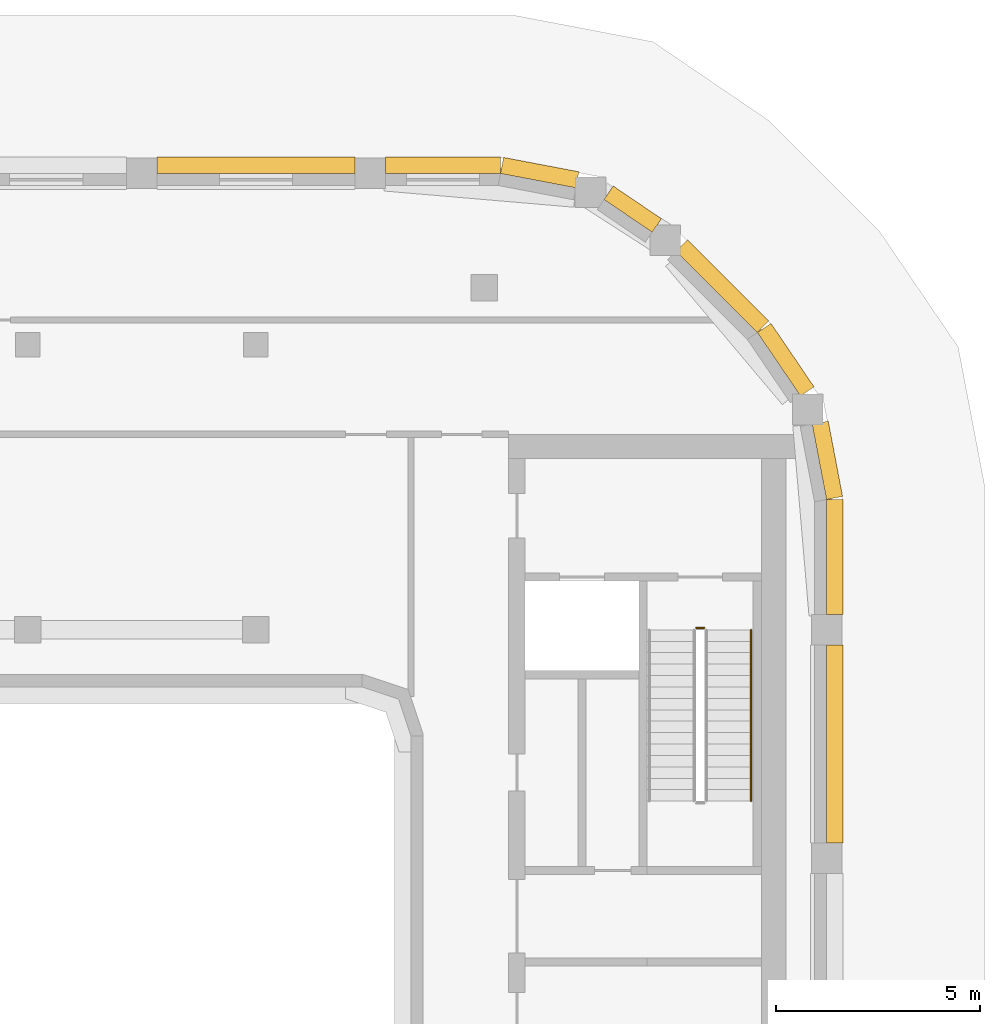
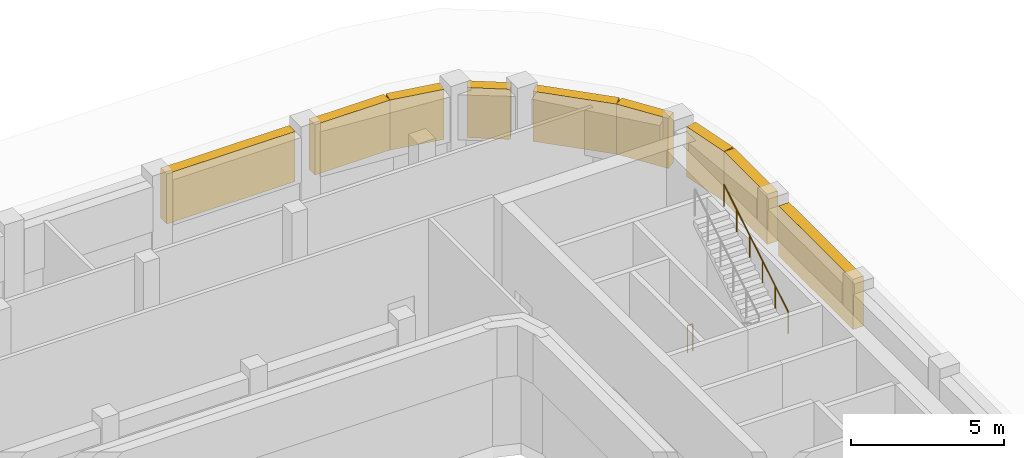
# One storey, part 17 of 17: 9 coverings, 2 railings.
"""IFC4 building model written with IfcOpenShell, lengths in metres."""

from ifc_helpers import new_model, si_unit, direction, frame, origin, origin_2d, place, context, subcontext, project, spatial, rectangle, circle, extrude, material, type_object, element, save


model = new_model("IFC4")

# Units and contexts
model_context = context("Model", 3, precision=1e-05, world=origin(), true_north=direction((0.0, 1.0)))
body_context = subcontext(model_context, "Body", "Model", "MODEL_VIEW")
ifc_project = project(units=[si_unit("LENGTHUNIT", "METRE"), si_unit("AREAUNIT", "SQUARE_METRE"), si_unit("VOLUMEUNIT", "CUBIC_METRE"), si_unit("PLANEANGLEUNIT", "RADIAN"), si_unit("MASSUNIT", "GRAM", prefix="KILO")], contexts=[model_context])

# Site, building, storey
site_placement = place(None, origin())
site = spatial("IfcSite", under=ifc_project, at=site_placement, CompositionType="ELEMENT")
building_placement = place(site_placement, origin())
building = spatial("IfcBuilding", under=site, at=building_placement, Name="Kiln Ring Residences", CompositionType="ELEMENT")
storey_placement = place(building_placement, frame((0.0, 0.0, 289.10009765625)))
storey = spatial("IfcBuildingStorey", under=building, at=storey_placement, Name="L75", CompositionType="ELEMENT", Elevation=289.10009765625)

# Railings
ifc_material_1 = material(Name="Stainless steel", Category="steel")
railing_type_1 = type_object("IfcRailingType", Name="CORE-STAIR-GUARD", PredefinedType="GUARDRAIL", material=ifc_material_1)
railing_1_placement = place(storey_placement, frame((22.0, 8.449951171875, 0.0)))
element("IfcRailing", 1, at=railing_1_placement, inside=storey, type_object=railing_type_1, Name="L75 E-STN stair guard 4", PredefinedType="GUARDRAIL", context=body_context, shape_type="SweptSolid", body=[
    extrude(circle(Radius=0.02392578125, at=origin_2d()), frame((0.0, 0.0, 1.076171875), z_axis=(1.0, 0.0, 0.0), x_axis=(0.0, 1.0, 0.0)), (0.0, 0.0, 1.0), 0.199951171875),
    extrude(circle(Radius=0.02099609375, at=origin_2d()), origin(), (0.0, 0.0, 1.0), 1.052001953125),
    extrude(circle(Radius=0.02099609375, at=origin_2d()), frame((0.199951171875, 0.0, 0.0)), (0.0, 0.0, 1.0), 1.052001953125),
])
ifc_material_2 = material(Name="Stainless steel", Category="steel")
railing_type_2 = type_object("IfcRailingType", Name="CORE-STAIR-HANDRAIL", PredefinedType="HANDRAIL", material=ifc_material_2)
railing_2_placement = place(storey_placement, frame((23.35009765625, 4.199951171875, 2.86865234375)))
element("IfcRailing", 2, at=railing_2_placement, inside=storey, type_object=railing_type_2, Name="L75 E-STN stair handrail 2", PredefinedType="HANDRAIL", context=body_context, shape_type="SweptSolid", body=[
    extrude(circle(Radius=0.02392578125, at=origin_2d()), frame((0.0, 0.0, 0.8759765625), z_axis=(0.0, 0.856476492594, 0.516186030065), x_axis=(-1.0, 0.0, 0.0)), (0.0, 0.0, 1.0), 4.90380859375),
    extrude(circle(Radius=0.02099609375, at=origin_2d()), origin(), (0.0, 0.0, 1.0), 0.851806640625),
    extrude(circle(Radius=0.02099609375, at=origin_2d()), frame((0.0, 0.840087890625, 0.50634765625)), (0.0, 0.0, 1.0), 0.851806640625),
    extrude(circle(Radius=0.02099609375, at=origin_2d()), frame((0.0, 1.679931640625, 1.012451171875)), (0.0, 0.0, 1.0), 0.851806640625),
    extrude(circle(Radius=0.02099609375, at=origin_2d()), frame((0.0, 2.52001953125, 1.518798828125)), (0.0, 0.0, 1.0), 0.851806640625),
    extrude(circle(Radius=0.02099609375, at=origin_2d()), frame((0.0, 3.35986328125, 2.02490234375)), (0.0, 0.0, 1.0), 0.851806640625),
    extrude(circle(Radius=0.02099609375, at=origin_2d()), frame((0.0, 4.199951171875, 2.53125)), (0.0, 0.0, 1.0), 0.851806640625),
])

# Coverings
ifc_material_3 = material(Name="Concrete C35/45, exposed aggregate finish", Category="concrete")
covering_type = type_object("IfcCoveringType", Name="TIE BAND 2000 x 400", PredefinedType="CLADDING", material=ifc_material_3)
covering_1_placement = place(storey_placement, frame((25.39990234375, 5.60009765625, 3.0), z_axis=(0.0, 0.0, 1.0), x_axis=(0.0, 1.0, 0.0)))
element("IfcCovering", 3, at=covering_1_placement, inside=storey, type_object=covering_type, Name="TIE BAND L75", PredefinedType="CLADDING", context=body_context, shape_type="SweptSolid", body=[
    extrude(rectangle(XDim=4.85009765625, YDim=0.39990234375, at=origin_2d()), origin(), (0.0, 0.0, 1.0), 2.0),
])
covering_2_placement = place(storey_placement, frame((25.39990234375, 10.1875, 3.0), z_axis=(0.0, 0.0, 1.0), x_axis=(0.0, 1.0, 0.0)))
element("IfcCovering", 4, at=covering_2_placement, inside=storey, type_object=covering_type, Name="TIE BAND L75", PredefinedType="CLADDING", context=body_context, shape_type="SweptSolid", body=[
    extrude(rectangle(XDim=2.824951171875, YDim=0.39990234375, at=origin_2d()), origin(), (0.0, 0.0, 1.0), 2.0),
])
for number, where, z_axis, x_axis, name in (
    (5, (25.22021484375, 12.561279296875, 3.0), (0.0, 0.0, 1.0), (-0.187365550382, 0.98229025778, 0.0), "TIE BAND L75"),
    (6, (24.197021484375, 15.031494140625, 3.0), (0.0, 0.0, 1.0), (-0.562096651134, 0.827071553606, 0.0), "TIE BAND L75"),
):
    element("IfcCovering", number, at=place(storey_placement, frame(where, z_axis=z_axis, x_axis=x_axis)), inside=storey, type_object=covering_type, Name=name, PredefinedType="CLADDING", context=body_context, shape_type="SweptSolid", body=[
        extrude(rectangle(XDim=1.881103515625, YDim=0.39990234375, at=origin_2d()), origin(), (0.0, 0.0, 1.0), 2.0),
    ])
covering_3_placement = place(storey_placement, frame((22.6455078125, 16.837158203125, 3.0), z_axis=(0.0, 0.0, 1.0), x_axis=(-0.707106781187, 0.707106781187, 0.0)))
element("IfcCovering", 7, at=covering_3_placement, inside=storey, type_object=covering_type, Name="TIE BAND L75", PredefinedType="CLADDING", context=body_context, shape_type="SweptSolid", body=[
    extrude(rectangle(XDim=2.824951171875, YDim=0.39990234375, at=origin_2d()), origin(), (0.0, 0.0, 1.0), 2.0),
])
covering_4_placement = place(storey_placement, frame((20.44384765625, 18.724609375, 3.0), z_axis=(0.0, 0.0, 1.0), x_axis=(-0.827071553606, 0.562096651134, 0.0)))
element("IfcCovering", 8, at=covering_4_placement, inside=storey, type_object=covering_type, Name="TIE BAND L75", PredefinedType="CLADDING", context=body_context, shape_type="SweptSolid", body=[
    extrude(rectangle(XDim=1.427001953125, YDim=0.39990234375, at=origin_2d()), origin(), (0.0, 0.0, 1.0), 2.0),
])
covering_5_placement = place(storey_placement, frame((18.161376953125, 19.6201171875, 3.0), z_axis=(0.0, 0.0, 1.0), x_axis=(-0.98229025778, 0.187365550382, 0.0)))
element("IfcCovering", 9, at=covering_5_placement, inside=storey, type_object=covering_type, Name="TIE BAND L75", PredefinedType="CLADDING", context=body_context, shape_type="SweptSolid", body=[
    extrude(rectangle(XDim=1.881103515625, YDim=0.39990234375, at=origin_2d()), origin(), (0.0, 0.0, 1.0), 2.0),
])
covering_6_placement = place(storey_placement, frame((15.78759765625, 19.800048828125, 3.0), z_axis=(0.0, 0.0, 1.0), x_axis=(-1.0, 0.0, 0.0)))
element("IfcCovering", 10, at=covering_6_placement, inside=storey, type_object=covering_type, Name="TIE BAND L75", PredefinedType="CLADDING", context=body_context, shape_type="SweptSolid", body=[
    extrude(rectangle(XDim=2.824951171875, YDim=0.39990234375, at=origin_2d()), origin(), (0.0, 0.0, 1.0), 2.0),
])
covering_7_placement = place(storey_placement, frame((11.199951171875, 19.800048828125, 3.0), z_axis=(0.0, 0.0, 1.0), x_axis=(-1.0, 0.0, 0.0)))
element("IfcCovering", 11, at=covering_7_placement, inside=storey, type_object=covering_type, Name="TIE BAND L75", PredefinedType="CLADDING", context=body_context, shape_type="SweptSolid", body=[
    extrude(rectangle(XDim=4.85009765625, YDim=0.39990234375, at=origin_2d()), origin(), (0.0, 0.0, 1.0), 2.0),
])

save(model, "model.ifc")
